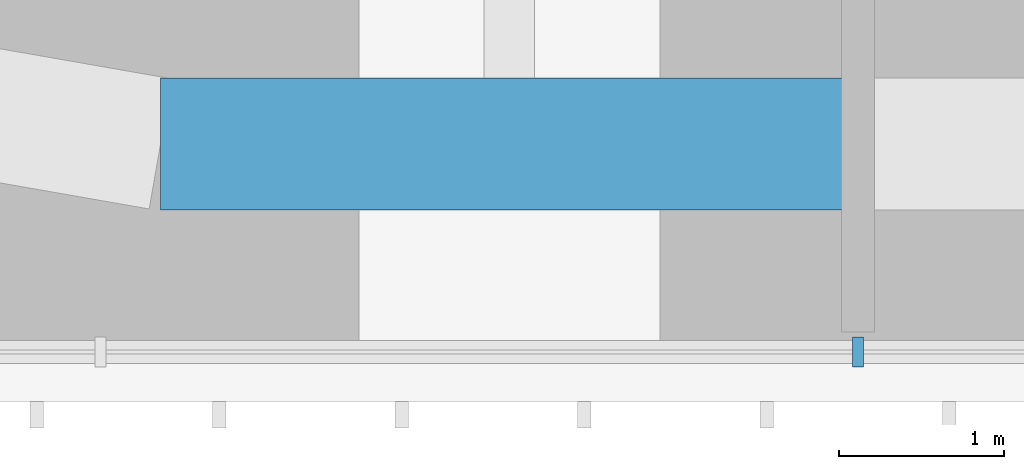
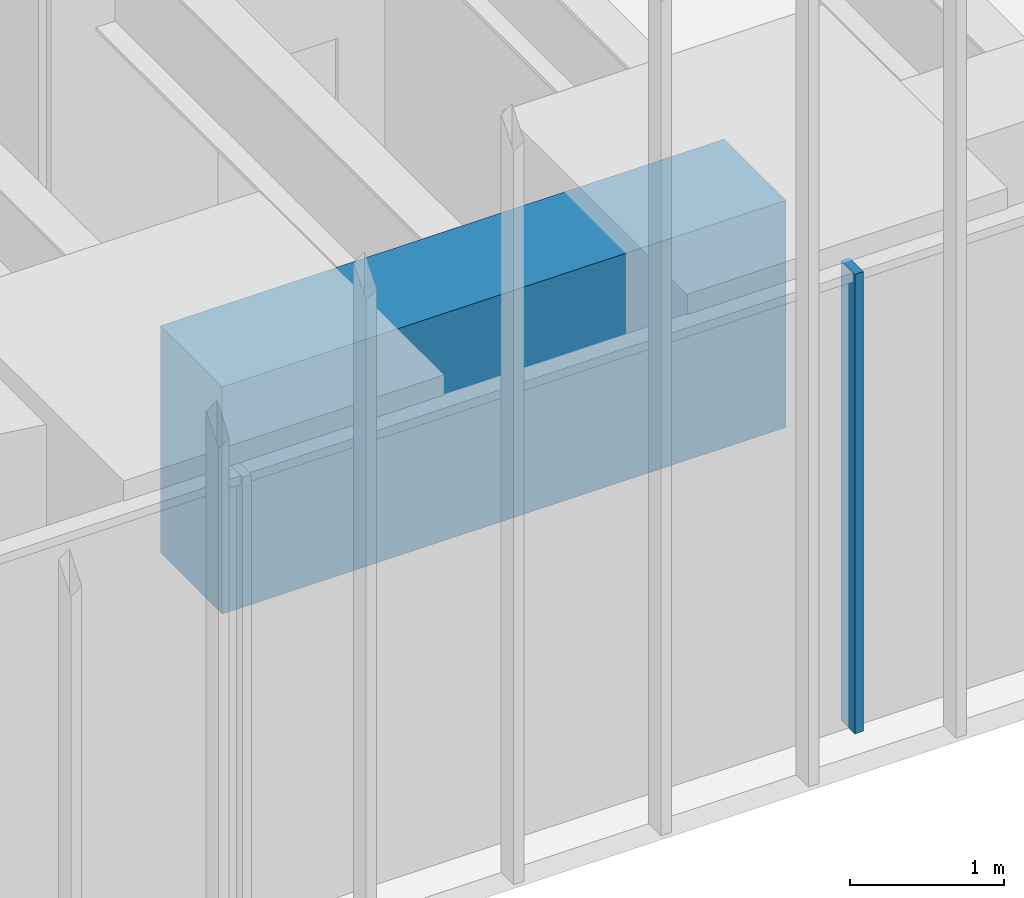
# One storey, part 36 of 256: 1 beam, 1 member, 1 element without a shape of its own.
"""IFC4 building model written with IfcOpenShell, lengths in metres."""

from ifc_helpers import new_model, si_unit, direction, frame, origin, origin_2d, place, context, subcontext, project, spatial, rectangle, extrude, material, material_profile, profile_set, type_object, element, aggregate, save


model = new_model("IFC4")

# Units and contexts
model_context = context("Model", 3, precision=1e-05, world=origin(), true_north=direction((0.0, 1.0)))
body_context = subcontext(model_context, "Body", "Model", "MODEL_VIEW")
ifc_project = project(units=[si_unit("LENGTHUNIT", "METRE"), si_unit("AREAUNIT", "SQUARE_METRE"), si_unit("VOLUMEUNIT", "CUBIC_METRE"), si_unit("PLANEANGLEUNIT", "RADIAN"), si_unit("MASSUNIT", "GRAM", prefix="KILO")], contexts=[model_context])

# Site, building, storey
site_placement = place(None, origin())
site = spatial("IfcSite", under=ifc_project, at=site_placement, CompositionType="ELEMENT")
building_placement = place(site_placement, origin())
building = spatial("IfcBuilding", under=site, at=building_placement, Name="Sandreach Pilgrim Tower", CompositionType="ELEMENT")
storey_placement = place(building_placement, frame((0.0, 0.0, 23.0)))
storey = spatial("IfcBuildingStorey", under=building, at=storey_placement, Name="L04", CompositionType="ELEMENT", Elevation=23.0)

# Curtain wall, member
ifc_material_1 = material(Name="Aluminium framed curtain wall", Category="aluminium")
curtain_wall_type = type_object("IfcCurtainWallType", Name="Hostel tower curtain wall", PredefinedType="NOTDEFINED", material=ifc_material_1)
curtain_wall_placement = place(storey_placement, origin())
curtain_wall = element("IfcCurtainWall", 1, at=curtain_wall_placement, inside=storey, type_object=curtain_wall_type, Name="CW-1 L04 S", PredefinedType="NOTDEFINED")
ifc_material_2 = material(Name="Aluminium extrusion", Category="aluminium")
ifc_material_profile_1 = material_profile(ifc_material_2, rectangle(XDim=0.06494140625, YDim=0.179931640625, at=origin_2d()), Name="CW-1M 65X180")
ifc_profile_set_1 = profile_set([ifc_material_profile_1], Name="Aluminium extrusion")
member_type = type_object("IfcMemberType", Name="CW-1 mullion", PredefinedType="MULLION", material=ifc_profile_set_1)
member_placement = place(storey_placement, frame((0.0, -30.010986328125, 0.0), z_axis=(0.0, 0.0, 1.0), x_axis=(-1.0, 0.0, 0.0)))
member = element("IfcMember", 2, at=member_placement, type_object=member_type, Name="CW-1 mullion 3", PredefinedType="MULLION", context=body_context, shape_type="SweptSolid", body=[
    extrude(rectangle(XDim=0.06494140625, YDim=0.179931640625, at=origin_2d()), origin(), (0.0, 0.0, 1.0), 3.639892578125),
])
aggregate(curtain_wall, [member])

# Beam
ifc_material_3 = material(Name="Concrete 10000 psi", Category="concrete")
ifc_material_profile_2 = material_profile(ifc_material_3, rectangle(XDim=0.800048828125, YDim=1.800048828125, at=origin_2d()), Name="RC800X1800")
ifc_profile_set_2 = profile_set([ifc_material_profile_2], Name="Concrete 10000 psi")
beam_type = type_object("IfcBeamType", Name="Spandrel beam RC800X1800", PredefinedType="SPANDREL", material=ifc_profile_set_2)
beam_placement = place(storey_placement, frame((0.0, -28.7509765625, 2.739990234375), z_axis=(-1.0, 0.0, 0.0), x_axis=(0.0, -1.0, 0.0)))
element("IfcBeam", 3, at=beam_placement, inside=storey, type_object=beam_type, Name="BM L04 SP24", PredefinedType="SPANDREL", context=body_context, shape_type="SweptSolid", body=[
    extrude(rectangle(XDim=0.800048828125, YDim=1.800048828125, at=origin_2d()), origin(), (0.0, 0.0, 1.0), 4.222412109375),
])

save(model, "model.ifc")
